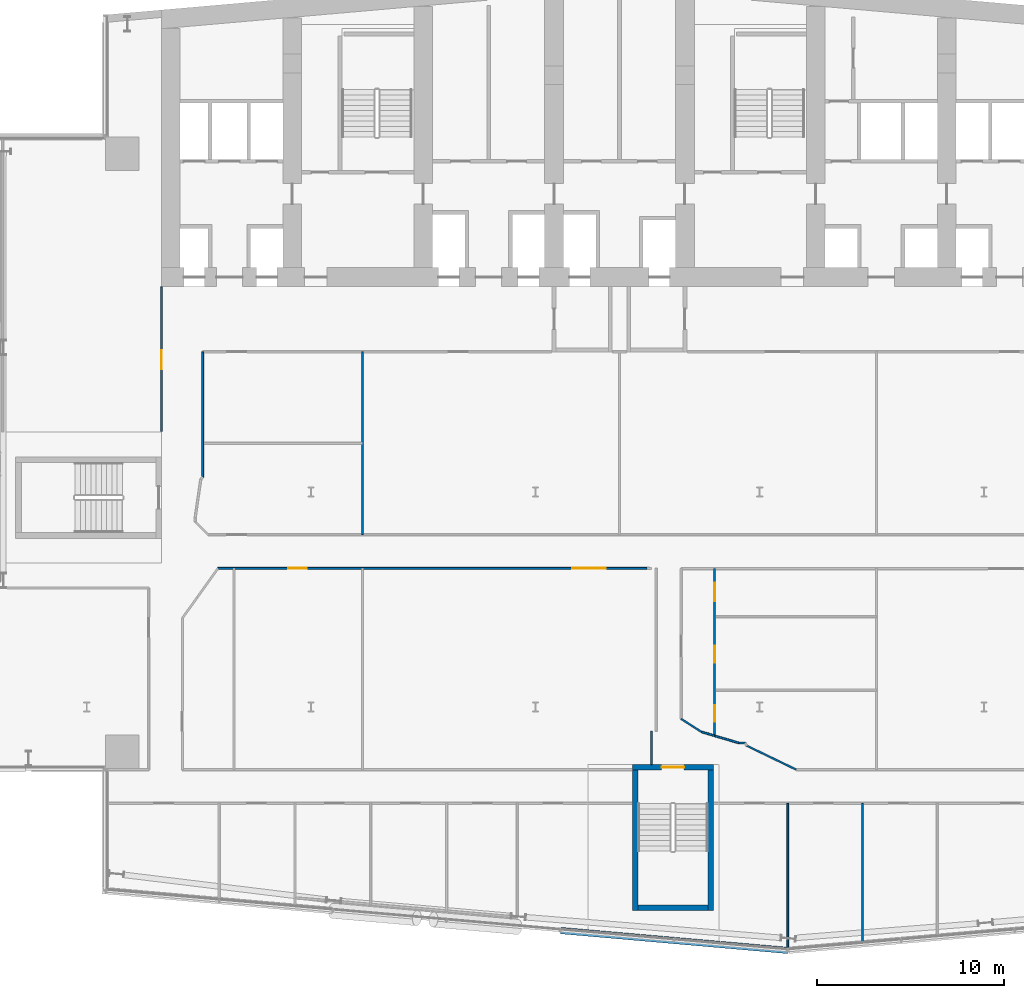
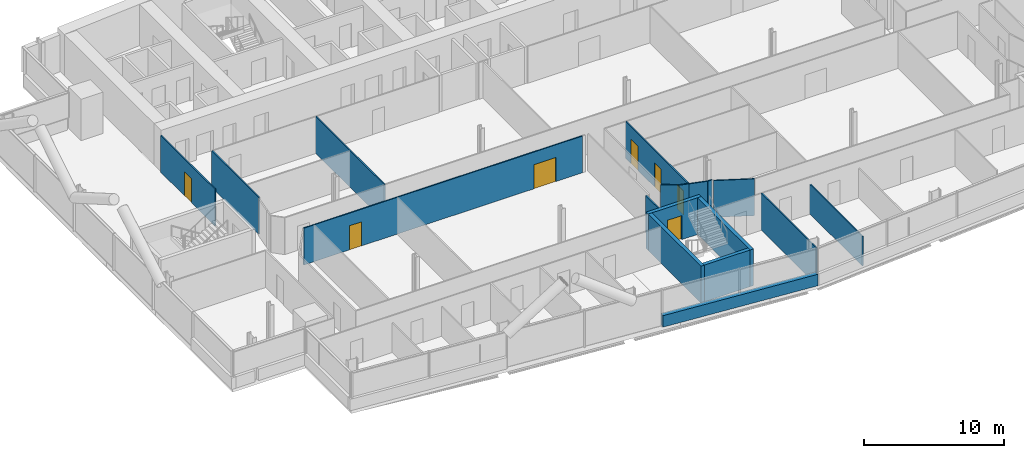
# One storey, part 15 of 27: 18 walls, 7 doors, 7 openings.
"""IFC4 building model written with IfcOpenShell, lengths in metres."""

from ifc_helpers import new_model, si_unit, direction, frame, frame_2d, origin, place, context, subcontext, project, spatial, rectangle, extrude, material, layer, layer_set, type_object, element, fill, save


model = new_model("IFC4")

# Units and contexts
model_context = context("Model", 3, precision=1e-05, world=origin(), true_north=direction((0.0, 1.0)))
body_context = subcontext(model_context, "Body", "Model", "MODEL_VIEW")
ifc_project = project(units=[si_unit("LENGTHUNIT", "METRE"), si_unit("AREAUNIT", "SQUARE_METRE"), si_unit("VOLUMEUNIT", "CUBIC_METRE"), si_unit("PLANEANGLEUNIT", "RADIAN"), si_unit("MASSUNIT", "GRAM", prefix="KILO")], contexts=[model_context])

# Site, building, storey
site_placement = place(None, origin())
site = spatial("IfcSite", under=ifc_project, at=site_placement, CompositionType="ELEMENT")
building_placement = place(site_placement, origin())
building = spatial("IfcBuilding", under=site, at=building_placement, Name="Wharfspan Tower", CompositionType="ELEMENT")
storey_placement = place(building_placement, frame((0.0, 0.0, 136.300049)))
storey = spatial("IfcBuildingStorey", under=building, at=storey_placement, Name="L32", CompositionType="ELEMENT", Elevation=136.300049)

# Wall, opening, door
ifc_material_1 = material(Name="Gypsum board on steel studs", Category="steel")
ifc_layer_1 = layer(ifc_material_1, 0.100098)
ifc_layer_set_1 = layer_set([ifc_layer_1], Name="Gypsum board on steel studs")
wall_type_1 = type_object("IfcWallType", Name="Compartment wall 100 EI 60", PredefinedType="PARTITIONING", material=ifc_layer_set_1)
wall_1_placement = place(storey_placement, frame((16.0, 26.25, 0.0), z_axis=(0.0, 0.0, 1.0), x_axis=(0.0, 1.0, 0.0)))
wall_1 = element("IfcWall", 1, at=wall_1_placement, inside=storey, type_object=wall_type_1, Name="Partition L32.w006", PredefinedType="PARTITIONING", context=body_context, shape_type="SweptSolid", body=[
    extrude(rectangle(XDim=7.72998, YDim=0.100098, at=frame_2d((3.86499, 0.0))), origin(), (0.0, 0.0, 1.0), 3.199951),
])
opening_1_placement = place(wall_1_placement, frame((3.330078, 0.0, 0.0)))
opening_1 = element("IfcOpeningElement", 2, at=opening_1_placement, cuts=wall_1, Name="Opening B5-29", PredefinedType="OPENING", context=body_context, shape_type="SweptSolid", body=[
    extrude(rectangle(XDim=1.0, YDim=2.100098, at=frame_2d((0.5, 1.050049))), frame((0.0, 0.060059, 0.0), z_axis=(0.0, -1.0, 0.0), x_axis=(1.0, 0.0, 0.0)), (0.0, 0.0, 1.0), 0.120117),
])
ifc_material_2 = material(Name="Fire-rated timber door leaf in steel frame", Category="steel")
door_type_1 = type_object("IfcDoorType", Name="Door 1000 FD30S Left", OperationType="SINGLE_SWING_LEFT", PredefinedType="DOOR", material=ifc_material_2)
door_1_placement = place(opening_1_placement, origin())
door_1 = element("IfcDoor", 3, at=door_1_placement, inside=storey, type_object=door_type_1, Name="Door B5-29", OperationType="SINGLE_SWING_LEFT", OverallHeight=2.100098, OverallWidth=1.0, PredefinedType="DOOR", context=body_context, shape_type="SweptSolid", body=[
    extrude(rectangle(XDim=1.0, YDim=2.100098, at=frame_2d((0.5, 1.050049))), frame((0.0, 0.024902, 0.0), z_axis=(0.0, -1.0, 0.0), x_axis=(1.0, 0.0, 0.0)), (0.0, 0.0, 1.0), 0.050049),
])
fill(opening_1, door_1)

# Wall
wall_2_placement = place(storey_placement, frame((18.199951, 23.800049, 0.0), z_axis=(0.0, 0.0, 1.0), x_axis=(0.0, 1.0, 0.0)))
element("IfcWall", 4, at=wall_2_placement, inside=storey, type_object=wall_type_1, Name="Partition L32.w015", PredefinedType="PARTITIONING", context=body_context, shape_type="SweptSolid", body=[
    extrude(rectangle(XDim=6.699951, YDim=0.100098, at=frame_2d((3.350098, 0.0))), origin(), (0.0, 0.0, 1.0), 3.199951),
])

# Wall, openings, doors
wall_3_placement = place(storey_placement, frame((19.02002, 18.915039, 0.0), z_axis=(0.0, 0.0, 1.0), x_axis=(1.0, 0.0, 0.0)))
wall_3 = element("IfcWall", 5, at=wall_3_placement, inside=storey, type_object=wall_type_1, Name="Partition L32.w020", PredefinedType="PARTITIONING", context=body_context, shape_type="SweptSolid", body=[
    extrude(rectangle(XDim=22.965088, YDim=0.100098, at=frame_2d((11.482422, 0.0))), origin(), (0.0, 0.0, 1.0), 3.199951),
])
opening_2_placement = place(wall_3_placement, frame((3.754883, 0.0, 0.0)))
opening_2 = element("IfcOpeningElement", 6, at=opening_2_placement, cuts=wall_3, Name="Opening B5-24", PredefinedType="OPENING", context=body_context, shape_type="SweptSolid", body=[
    extrude(rectangle(XDim=1.0, YDim=2.100098, at=frame_2d((0.5, 1.050049))), frame((0.0, 0.060059, 0.0), z_axis=(0.0, -1.0, 0.0), x_axis=(1.0, 0.0, 0.0)), (0.0, 0.0, 1.0), 0.120117),
])
opening_3_placement = place(wall_3_placement, frame((18.949951, 0.0, 0.0)))
opening_3 = element("IfcOpeningElement", 7, at=opening_3_placement, cuts=wall_3, Name="Opening B5-25", PredefinedType="OPENING", context=body_context, shape_type="SweptSolid", body=[
    extrude(rectangle(XDim=1.800049, YDim=2.100098, at=frame_2d((0.899902, 1.050049))), frame((0.0, 0.060059, 0.0), z_axis=(0.0, -1.0, 0.0), x_axis=(1.0, 0.0, 0.0)), (0.0, 0.0, 1.0), 0.120117),
])
door_2_placement = place(opening_2_placement, origin())
door_2 = element("IfcDoor", 8, at=door_2_placement, inside=storey, type_object=door_type_1, Name="Door B5-24", OperationType="SINGLE_SWING_LEFT", OverallHeight=2.100098, OverallWidth=1.0, PredefinedType="DOOR", context=body_context, shape_type="SweptSolid", body=[
    extrude(rectangle(XDim=1.0, YDim=2.100098, at=frame_2d((0.5, 1.050049))), frame((0.0, 0.024902, 0.0), z_axis=(0.0, -1.0, 0.0), x_axis=(1.0, 0.0, 0.0)), (0.0, 0.0, 1.0), 0.050049),
])
fill(opening_2, door_2)
door_type_2 = type_object("IfcDoorType", Name="Door 1800 FD30S Double", OperationType="DOUBLE_DOOR_SINGLE_SWING", PredefinedType="DOOR", material=ifc_material_2)
door_3_placement = place(opening_3_placement, origin())
door_3 = element("IfcDoor", 9, at=door_3_placement, inside=storey, type_object=door_type_2, Name="Door B5-25", OperationType="DOUBLE_DOOR_SINGLE_SWING", OverallHeight=2.100098, OverallWidth=1.800049, PredefinedType="DOOR", context=body_context, shape_type="SweptSolid", body=[
    extrude(rectangle(XDim=1.800049, YDim=2.100098, at=frame_2d((0.899902, 1.050049))), frame((0.0, 0.024902, 0.0), z_axis=(0.0, -1.0, 0.0), x_axis=(1.0, 0.0, 0.0)), (0.0, 0.0, 1.0), 0.050049),
])
fill(opening_3, door_3)

# Walls
wall_4_placement = place(storey_placement, frame((26.75, 20.715088, 0.0), z_axis=(0.0, 0.0, 1.0), x_axis=(0.0, 1.0, 0.0)))
element("IfcWall", 10, at=wall_4_placement, inside=storey, type_object=wall_type_1, Name="Partition L32.w027", PredefinedType="PARTITIONING", context=body_context, shape_type="SweptSolid", body=[
    extrude(rectangle(XDim=9.784912, YDim=0.100098, at=frame_2d((4.892578, 0.0))), origin(), (0.0, 0.0, 1.0), 3.199951),
])
wall_5_placement = place(storey_placement, frame((42.209961, 8.416992, 0.0), z_axis=(0.0, 0.0, 1.0), x_axis=(0.0, 1.0, 0.0)))
element("IfcWall", 11, at=wall_5_placement, inside=storey, type_object=wall_type_1, Name="Partition L32.w034", PredefinedType="PARTITIONING", context=body_context, shape_type="SweptSolid", body=[
    extrude(rectangle(XDim=1.792969, YDim=0.100098, at=frame_2d((0.896484, 0.0))), origin(), (0.0, 0.0, 1.0), 3.199951),
])
wall_6_placement = place(storey_placement, frame((44.889893, 10.165039, 0.0), z_axis=(0.0, 0.0, 1.0), x_axis=(-0.842559, 0.538599, 0.0)))
element("IfcWall", 12, at=wall_6_placement, inside=storey, type_object=wall_type_1, Name="Partition L32.w039", PredefinedType="PARTITIONING", context=body_context, shape_type="SweptSolid", body=[
    extrude(rectangle(XDim=1.299561, YDim=0.100098, at=frame_2d((0.649902, 0.0))), origin(), (0.0, 0.0, 1.0), 3.199951),
])

# Wall, openings, doors
wall_7_placement = place(storey_placement, frame((45.584961, 9.965088, 0.0), z_axis=(0.0, 0.0, 1.0), x_axis=(0.0, 1.0, 0.0)))
wall_7 = element("IfcWall", 13, at=wall_7_placement, inside=storey, type_object=wall_type_1, Name="Partition L32.w041", PredefinedType="PARTITIONING", context=body_context, shape_type="SweptSolid", body=[
    extrude(rectangle(XDim=8.939941, YDim=0.100098, at=frame_2d((4.469971, 0.0))), origin(), (0.0, 0.0, 1.0), 3.199951),
])
opening_4_placement = place(wall_7_placement, frame((0.73999, 0.0, 0.0)))
opening_4 = element("IfcOpeningElement", 14, at=opening_4_placement, cuts=wall_7, Name="Opening B5-15", PredefinedType="OPENING", context=body_context, shape_type="SweptSolid", body=[
    extrude(rectangle(XDim=0.899902, YDim=2.100098, at=frame_2d((0.449951, 1.050049))), frame((0.0, 0.060059, 0.0), z_axis=(0.0, -1.0, 0.0), x_axis=(1.0, 0.0, 0.0)), (0.0, 0.0, 1.0), 0.120117),
])
opening_5_placement = place(wall_7_placement, frame((3.904785, 0.0, 0.0)))
opening_5 = element("IfcOpeningElement", 15, at=opening_5_placement, cuts=wall_7, Name="Opening B5-17", PredefinedType="OPENING", context=body_context, shape_type="SweptSolid", body=[
    extrude(rectangle(XDim=0.899902, YDim=2.100098, at=frame_2d((0.449951, 1.050049))), frame((0.0, 0.060059, 0.0), z_axis=(0.0, -1.0, 0.0), x_axis=(1.0, 0.0, 0.0)), (0.0, 0.0, 1.0), 0.120117),
])
opening_6_placement = place(wall_7_placement, frame((7.184814, 0.0, 0.0)))
opening_6 = element("IfcOpeningElement", 16, at=opening_6_placement, cuts=wall_7, Name="Opening B5-23", PredefinedType="OPENING", context=body_context, shape_type="SweptSolid", body=[
    extrude(rectangle(XDim=1.0, YDim=2.100098, at=frame_2d((0.5, 1.050049))), frame((0.0, 0.060059, 0.0), z_axis=(0.0, -1.0, 0.0), x_axis=(1.0, 0.0, 0.0)), (0.0, 0.0, 1.0), 0.120117),
])
ifc_material_3 = material(Name="Timber door leaf in steel frame", Category="steel")
door_type_3 = type_object("IfcDoorType", Name="Door 1000 NOT RATED Right", OperationType="SINGLE_SWING_RIGHT", PredefinedType="DOOR", material=ifc_material_3)
door_4_placement = place(opening_6_placement, origin())
door_4 = element("IfcDoor", 17, at=door_4_placement, inside=storey, type_object=door_type_3, Name="Door B5-23", OperationType="SINGLE_SWING_RIGHT", OverallHeight=2.100098, OverallWidth=1.0, PredefinedType="DOOR", context=body_context, shape_type="SweptSolid", body=[
    extrude(rectangle(XDim=1.0, YDim=2.100098, at=frame_2d((0.5, 1.050049))), frame((0.0, 0.024902, 0.0), z_axis=(0.0, -1.0, 0.0), x_axis=(1.0, 0.0, 0.0)), (0.0, 0.0, 1.0), 0.050049),
])
fill(opening_6, door_4)
door_type_4 = type_object("IfcDoorType", Name="Door 900 NOT RATED Left", OperationType="SINGLE_SWING_LEFT", PredefinedType="DOOR", material=ifc_material_3)
door_5_placement = place(opening_4_placement, origin())
door_5 = element("IfcDoor", 18, at=door_5_placement, inside=storey, type_object=door_type_4, Name="Door B5-15", OperationType="SINGLE_SWING_LEFT", OverallHeight=2.100098, OverallWidth=0.899902, PredefinedType="DOOR", context=body_context, shape_type="SweptSolid", body=[
    extrude(rectangle(XDim=0.899902, YDim=2.100098, at=frame_2d((0.449951, 1.050049))), frame((0.0, 0.024902, 0.0), z_axis=(0.0, -1.0, 0.0), x_axis=(1.0, 0.0, 0.0)), (0.0, 0.0, 1.0), 0.050049),
])
fill(opening_4, door_5)
door_6_placement = place(opening_5_placement, origin())
door_6 = element("IfcDoor", 19, at=door_6_placement, inside=storey, type_object=door_type_4, Name="Door B5-17", OperationType="SINGLE_SWING_LEFT", OverallHeight=2.100098, OverallWidth=0.899902, PredefinedType="DOOR", context=body_context, shape_type="SweptSolid", body=[
    extrude(rectangle(XDim=0.899902, YDim=2.100098, at=frame_2d((0.449951, 1.050049))), frame((0.0, 0.024902, 0.0), z_axis=(0.0, -1.0, 0.0), x_axis=(1.0, 0.0, 0.0)), (0.0, 0.0, 1.0), 0.050049),
])
fill(opening_5, door_6)

# Walls
wall_8_placement = place(storey_placement, frame((45.584961, 9.965088, 0.0), z_axis=(0.0, 0.0, 1.0), x_axis=(-0.961024, 0.276459, 0.0)))
element("IfcWall", 20, at=wall_8_placement, inside=storey, type_object=wall_type_1, Name="Partition L32.w044", PredefinedType="PARTITIONING", context=body_context, shape_type="SweptSolid", body=[
    extrude(rectangle(XDim=0.723145, YDim=0.100098, at=frame_2d((0.361572, 0.0))), origin(), (0.0, 0.0, 1.0), 3.199951),
])
wall_9_placement = place(storey_placement, frame((46.899902, 9.574951, 0.0), z_axis=(0.0, 0.0, 1.0), x_axis=(-0.960666, 0.277712, 0.0)))
element("IfcWall", 21, at=wall_9_placement, inside=storey, type_object=wall_type_1, Name="Partition L32.w045", PredefinedType="PARTITIONING", context=body_context, shape_type="SweptSolid", body=[
    extrude(rectangle(XDim=1.368896, YDim=0.100098, at=frame_2d((0.68457, 0.0))), origin(), (0.0, 0.0, 1.0), 3.199951),
])
wall_10_placement = place(storey_placement, frame((46.899902, 9.574951, 0.0), z_axis=(0.0, 0.0, 1.0), x_axis=(1.0, 0.0, 0.0)))
element("IfcWall", 22, at=wall_10_placement, inside=storey, type_object=wall_type_1, Name="Partition L32.w046", PredefinedType="PARTITIONING", context=body_context, shape_type="SweptSolid", body=[
    extrude(rectangle(XDim=0.335205, YDim=0.100098, at=frame_2d((0.16748, 0.0))), origin(), (0.0, 0.0, 1.0), 3.199951),
])
wall_11_placement = place(storey_placement, frame((49.5, -1.498291, 0.0), z_axis=(0.0, 0.0, 1.0), x_axis=(0.0, 1.0, 0.0)))
element("IfcWall", 23, at=wall_11_placement, inside=storey, type_object=wall_type_1, Name="Partition L32.w048", PredefinedType="PARTITIONING", context=body_context, shape_type="SweptSolid", body=[
    extrude(rectangle(XDim=7.843262, YDim=0.100098, at=frame_2d((3.921631, 0.0))), origin(), (0.0, 0.0, 1.0), 3.199951),
])
wall_12_placement = place(storey_placement, frame((49.955078, 8.149902, 0.0), z_axis=(0.0, 0.0, 1.0), x_axis=(-0.900464, 0.434927, 0.0)))
element("IfcWall", 24, at=wall_12_placement, inside=storey, type_object=wall_type_1, Name="Partition L32.w049", PredefinedType="PARTITIONING", context=body_context, shape_type="SweptSolid", body=[
    extrude(rectangle(XDim=2.943115, YDim=0.100098, at=frame_2d((1.47168, 0.0))), origin(), (0.0, 0.0, 1.0), 3.199951),
])
wall_13_placement = place(storey_placement, frame((53.5, -1.148193, 0.0), z_axis=(0.0, 0.0, 1.0), x_axis=(0.0, 1.0, 0.0)))
element("IfcWall", 25, at=wall_13_placement, inside=storey, type_object=wall_type_1, Name="Partition L32.w051", PredefinedType="PARTITIONING", context=body_context, shape_type="SweptSolid", body=[
    extrude(rectangle(XDim=7.493164, YDim=0.100098, at=frame_2d((3.746582, 0.0))), origin(), (0.0, 0.0, 1.0), 2.579834),
])
ifc_material_4 = material(Name="Concrete C40/50", Category="concrete")
ifc_layer_2 = layer(ifc_material_4, 0.350098)
ifc_layer_set_2 = layer_set([ifc_layer_2], Name="Concrete C40/50")
wall_type_2 = type_object("IfcWallType", Name="SPANDREL EXPOSED CONCRETE 350", PredefinedType="SOLIDWALL", material=ifc_layer_set_2)
wall_14_placement = place(storey_placement, frame((37.362793, -0.461426, 0.0), z_axis=(0.0, 0.0, 1.0), x_axis=(0.996194, -0.087159, 0.0)))
element("IfcWall", 26, at=wall_14_placement, inside=storey, type_object=wall_type_2, Name="Spandrel upstand L32 S1 2", PredefinedType="SOLIDWALL", context=body_context, shape_type="SweptSolid", body=[
    extrude(rectangle(XDim=12.19873, YDim=0.350098, at=frame_2d((6.099365, 0.0))), origin(), (0.0, 0.0, 1.0), 1.0),
])

# Wall, opening, door
ifc_layer_3 = layer(ifc_material_4, 0.300049)
ifc_layer_set_3 = layer_set([ifc_layer_3], Name="Concrete C40/50")
wall_type_3 = type_object("IfcWallType", Name="Stair core wall 300", PredefinedType="SHEAR", material=ifc_layer_set_3)
wall_15_placement = place(storey_placement, frame((41.185303, 8.26709, 0.0), z_axis=(0.0, 0.0, 1.0), x_axis=(1.0, 0.0, 0.0)))
wall_15 = element("IfcWall", 27, at=wall_15_placement, inside=storey, type_object=wall_type_3, Name="ST4 stair enclosure wall L32", PredefinedType="SHEAR", context=body_context, shape_type="SweptSolid", body=[
    extrude(rectangle(XDim=4.350098, YDim=0.300049, at=frame_2d((2.175049, 0.0))), origin(), (0.0, 0.0, 1.0), 3.199951),
])
opening_7_placement = place(wall_15_placement, frame((1.574951, 0.0, 0.0)))
opening_7 = element("IfcOpeningElement", 28, at=opening_7_placement, cuts=wall_15, Name="Opening SD4.L32", PredefinedType="OPENING", context=body_context, shape_type="SweptSolid", body=[
    extrude(rectangle(XDim=1.199951, YDim=2.100098, at=frame_2d((0.600098, 1.050049))), frame((0.0, 0.159912, 0.0), z_axis=(0.0, -1.0, 0.0), x_axis=(1.0, 0.0, 0.0)), (0.0, 0.0, 1.0), 0.320068),
])
ifc_material_5 = material(Name="Steel door leaf", Category="steel")
door_type_5 = type_object("IfcDoorType", Name="Stair door 1200x2100", OperationType="SINGLE_SWING_LEFT", PredefinedType="DOOR", material=ifc_material_5)
door_7_placement = place(opening_7_placement, origin())
door_7 = element("IfcDoor", 29, at=door_7_placement, inside=storey, type_object=door_type_5, Name="sd:L32:ST4z2", OperationType="SINGLE_SWING_RIGHT", OverallHeight=2.100098, OverallWidth=1.199951, PredefinedType="DOOR", context=body_context, shape_type="SweptSolid", body=[
    extrude(rectangle(XDim=1.199951, YDim=2.100098, at=frame_2d((0.600098, 1.050049))), frame((0.0, 0.024902, 0.0), z_axis=(0.0, -1.0, 0.0), x_axis=(1.0, 0.0, 0.0)), (0.0, 0.0, 1.0), 0.050049),
])
fill(opening_7, door_7)

# Walls
for number, where, z_axis, x_axis, name in (
    (30, (41.335205, 0.616943, 0.0), (0.0, 0.0, 1.0), (0.0, 1.0, 0.0), "ST4 stair enclosure wall L32"),
    (31, (45.385254, 0.616943, 0.0), (0.0, 0.0, 1.0), (0.0, 1.0, 0.0), "ST4 stair enclosure wall L32"),
):
    element("IfcWall", number, at=place(storey_placement, frame(where, z_axis=z_axis, x_axis=x_axis)), inside=storey, type_object=wall_type_3, Name=name, PredefinedType="SHEAR", context=body_context, shape_type="SweptSolid", body=[
        extrude(rectangle(XDim=7.5, YDim=0.300049, at=frame_2d((3.75, 0.0))), origin(), (0.0, 0.0, 1.0), 3.199951),
    ])
wall_16_placement = place(storey_placement, frame((41.485352, 0.76709, 0.0), z_axis=(0.0, 0.0, 1.0), x_axis=(1.0, 0.0, 0.0)))
element("IfcWall", 32, at=wall_16_placement, inside=storey, type_object=wall_type_3, Name="ST4 stair enclosure wall L32", PredefinedType="SHEAR", context=body_context, shape_type="SweptSolid", body=[
    extrude(rectangle(XDim=3.75, YDim=0.300049, at=frame_2d((1.875, 0.0))), origin(), (0.0, 0.0, 1.0), 3.199951),
])

save(model, "model.ifc")
